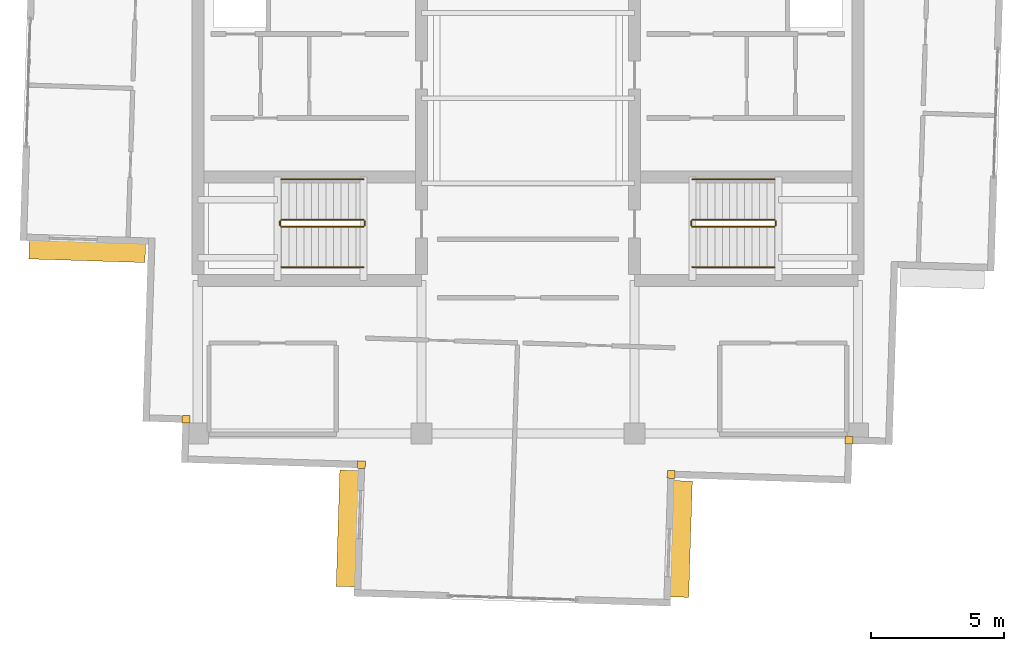
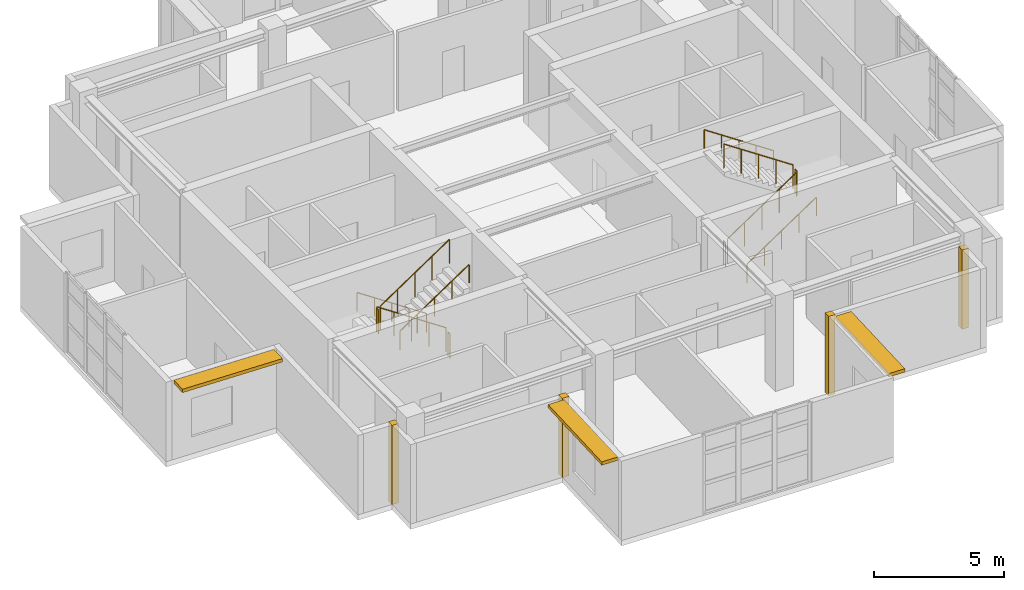
# One storey, part 13 of 14: 12 railings, 4 coverings, 3 shading devices.
"""IFC4 building model written with IfcOpenShell, lengths in metres."""

from ifc_helpers import new_model, si_unit, direction, frame, origin, origin_2d, place, context, subcontext, project, spatial, rectangle, circle, extrude, material, layer, layer_set, type_object, element, save


model = new_model("IFC4")

# Units and contexts
model_context = context("Model", 3, precision=1e-05, world=origin(), true_north=direction((0.0, 1.0)))
body_context = subcontext(model_context, "Body", "Model", "MODEL_VIEW")
ifc_project = project(units=[si_unit("LENGTHUNIT", "METRE"), si_unit("AREAUNIT", "SQUARE_METRE"), si_unit("VOLUMEUNIT", "CUBIC_METRE"), si_unit("PLANEANGLEUNIT", "RADIAN"), si_unit("MASSUNIT", "GRAM", prefix="KILO")], contexts=[model_context])

# Site, building, storey
site_placement = place(None, origin())
site = spatial("IfcSite", under=ifc_project, at=site_placement, CompositionType="ELEMENT")
building_placement = place(site_placement, origin())
building = spatial("IfcBuilding", under=site, at=building_placement, Name="Qingluan Cross Belvedere", CompositionType="ELEMENT")
storey_placement = place(building_placement, frame((0.0, 0.0, 317.39990234375)))
storey = spatial("IfcBuildingStorey", under=building, at=storey_placement, Name="L78", CompositionType="ELEMENT", Elevation=317.39990234375)

# Coverings
ifc_material_1 = material(Name="Precast concrete C45", Category="concrete")
ifc_layer_1 = layer(ifc_material_1, 0.1201171875, Name="ConcreteSpandrelCladding_120")
ifc_layer_set_1 = layer_set([ifc_layer_1], Name="Precast concrete C45")
covering_type = type_object("IfcCoveringType", Name="ConcreteSpandrelCladding_120", PredefinedType="CLADDING", material=ifc_layer_set_1)
for number, where, z_axis, x_axis, name in (
    (1, (-12.84521484375, -12.0625, 0.0), (0.0, 0.0, 1.0), (0.999506560366, -0.031410759078, 0.0), "Corner closure L78-SW1"),
    (2, (-6.255615234375, -13.770263671875, 0.0), (0.0, 0.0, 1.0), (0.999506560366, -0.031410759078, 0.0), "Corner closure L78-SW2"),
    (3, (12.0625, -12.84521484375, 0.0), (0.0, 0.0, 1.0), (0.999506560366, -0.031410759078, 0.0), "Corner closure L78-SE1"),
    (4, (5.378662109375, -14.135986328125, 0.0), (0.0, 0.0, 1.0), (0.999506560366, -0.031410759078, 0.0), "Corner closure L78-SE2"),
):
    element("IfcCovering", number, at=place(storey_placement, frame(where, z_axis=z_axis, x_axis=x_axis)), inside=storey, type_object=covering_type, Name=name, PredefinedType="CLADDING", context=body_context, shape_type="SweptSolid", body=[
        extrude(rectangle(XDim=0.2900390625, YDim=0.2900390625, at=origin_2d()), origin(), (0.0, 0.0, 1.0), 3.72998046875),
    ])

# Shading devices
ifc_material_2 = material(Name="Precast concrete C45", Category="concrete")
ifc_layer_2 = layer(ifc_material_2, 0.139892578125, Name="ConcreteSunshadeBand_700")
ifc_layer_set_2 = layer_set([ifc_layer_2], Name="Precast concrete C45")
shading_device_type = type_object("IfcShadingDeviceType", Name="ConcreteSunshadeBand_700", PredefinedType="USERDEFINED", material=ifc_layer_set_2)
for number, where, z_axis, x_axis, name in (
    (5, (-16.55908203125, -5.7578125, 3.55029296875), (0.0, 0.0, 1.0), (0.999506874652, -0.031400756733, 0.0), "Concrete SUNSHADE L78-WB"),
    (6, (-6.7861328125, -16.164794921875, 3.55029296875), (0.0, 0.0, 1.0), (-0.031421929952, -0.999506209244, 0.0), "Concrete SUNSHADE L78-SA"),
    (7, (5.7578125, -16.55908203125, 3.55029296875), (0.0, 0.0, 1.0), (0.031400756733, 0.999506874652, 0.0), "Concrete SUNSHADE L78-SB"),
):
    element("IfcShadingDevice", number, at=place(storey_placement, frame(where, z_axis=z_axis, x_axis=x_axis)), inside=storey, type_object=shading_device_type, Name=name, ObjectType="SUNSHADE", PredefinedType="USERDEFINED", context=body_context, shape_type="SweptSolid", body=[
        extrude(rectangle(XDim=4.3701171875, YDim=0.699951171875, at=origin_2d()), origin(), (0.0, 0.0, 1.0), 0.159912109375),
    ])

# Railings
ifc_material_3 = material(Name="Brushed stainless steel tubular handrail", Category="steel")
railing_type_1 = type_object("IfcRailingType", Name="StairPitchHandrail_900", PredefinedType="HANDRAIL", material=ifc_material_3)
railing_1_placement = place(storey_placement, frame((-6.179931640625, -3.050048828125, 0.1875)))
element("IfcRailing", 8, at=railing_1_placement, inside=storey, type_object=railing_type_1, Name="L78 ST1 stair handrail 1", PredefinedType="HANDRAIL", context=body_context, shape_type="SweptSolid", body=[
    extrude(circle(Radius=0.02392578125, at=origin_2d()), frame((0.0, 0.0, 0.8759765625), z_axis=(-0.830913701846, 0.0, 0.55640131208), x_axis=(0.0, -1.0, 0.0)), (0.0, 0.0, 1.0), 3.706787109375),
    extrude(circle(Radius=0.02099609375, at=origin_2d()), origin(), (0.0, 0.0, 1.0), 0.851806640625),
    extrude(circle(Radius=0.02099609375, at=origin_2d()), frame((-0.77001953125, 0.0, 0.515625)), (0.0, 0.0, 1.0), 0.851806640625),
    extrude(circle(Radius=0.02099609375, at=origin_2d()), frame((-1.5400390625, 0.0, 1.03125)), (0.0, 0.0, 1.0), 0.851806640625),
    extrude(circle(Radius=0.02099609375, at=origin_2d()), frame((-2.31005859375, 0.0, 1.546875)), (0.0, 0.0, 1.0), 0.851806640625),
    extrude(circle(Radius=0.02099609375, at=origin_2d()), frame((-3.080078125, 0.0, 2.0625)), (0.0, 0.0, 1.0), 0.851806640625),
])
for number, where, name in (
    (9, (-9.260009765625, -6.35009765625, 2.4375), "L78 ST1 stair handrail 2"),
    (10, (6.179931640625, -6.35009765625, 0.1875), "L78 ST2 stair handrail 1"),
):
    element("IfcRailing", number, at=place(storey_placement, frame(where)), inside=storey, type_object=railing_type_1, Name=name, PredefinedType="HANDRAIL", context=body_context, shape_type="SweptSolid", body=[
        extrude(circle(Radius=0.02392578125, at=origin_2d()), frame((0.0, 0.0, 0.8759765625), z_axis=(0.830913701846, 0.0, 0.55640131208), x_axis=(0.0, 1.0, 0.0)), (0.0, 0.0, 1.0), 3.706787109375),
        extrude(circle(Radius=0.02099609375, at=origin_2d()), origin(), (0.0, 0.0, 1.0), 0.851806640625),
        extrude(circle(Radius=0.02099609375, at=origin_2d()), frame((0.77001953125, 0.0, 0.515625)), (0.0, 0.0, 1.0), 0.851806640625),
        extrude(circle(Radius=0.02099609375, at=origin_2d()), frame((1.5400390625, 0.0, 1.03125)), (0.0, 0.0, 1.0), 0.851806640625),
        extrude(circle(Radius=0.02099609375, at=origin_2d()), frame((2.31005859375, 0.0, 1.546875)), (0.0, 0.0, 1.0), 0.851806640625),
        extrude(circle(Radius=0.02099609375, at=origin_2d()), frame((3.080078125, 0.0, 2.0625)), (0.0, 0.0, 1.0), 0.851806640625),
    ])
railing_2_placement = place(storey_placement, frame((9.260009765625, -3.050048828125, 2.4375)))
element("IfcRailing", 11, at=railing_2_placement, inside=storey, type_object=railing_type_1, Name="L78 ST2 stair handrail 2", PredefinedType="HANDRAIL", context=body_context, shape_type="SweptSolid", body=[
    extrude(circle(Radius=0.02392578125, at=origin_2d()), frame((0.0, 0.0, 0.8759765625), z_axis=(-0.830913701846, 0.0, 0.55640131208), x_axis=(0.0, -1.0, 0.0)), (0.0, 0.0, 1.0), 3.706787109375),
    extrude(circle(Radius=0.02099609375, at=origin_2d()), origin(), (0.0, 0.0, 1.0), 0.851806640625),
    extrude(circle(Radius=0.02099609375, at=origin_2d()), frame((-0.77001953125, 0.0, 0.515625)), (0.0, 0.0, 1.0), 0.851806640625),
    extrude(circle(Radius=0.02099609375, at=origin_2d()), frame((-1.5400390625, 0.0, 1.03125)), (0.0, 0.0, 1.0), 0.851806640625),
    extrude(circle(Radius=0.02099609375, at=origin_2d()), frame((-2.31005859375, 0.0, 1.546875)), (0.0, 0.0, 1.0), 0.851806640625),
    extrude(circle(Radius=0.02099609375, at=origin_2d()), frame((-3.080078125, 0.0, 2.0625)), (0.0, 0.0, 1.0), 0.851806640625),
])
ifc_material_4 = material(Name="Painted steel stair well guard", Category="steel")
railing_type_2 = type_object("IfcRailingType", Name="StairWellGuard_1150", PredefinedType="BALUSTRADE", material=ifc_material_4)
railing_3_placement = place(storey_placement, frame((-6.179931640625, -4.570068359375, 0.1875)))
element("IfcRailing", 12, at=railing_3_placement, inside=storey, type_object=railing_type_2, Name="L78 ST1 stair guard 1", PredefinedType="BALUSTRADE", context=body_context, shape_type="SweptSolid", body=[
    extrude(circle(Radius=0.02392578125, at=origin_2d()), frame((0.0, 0.0, 1.1259765625), z_axis=(-0.830913701846, 0.0, 0.55640131208), x_axis=(0.0, -1.0, 0.0)), (0.0, 0.0, 1.0), 3.706787109375),
    extrude(circle(Radius=0.02099609375, at=origin_2d()), origin(), (0.0, 0.0, 1.0), 1.101806640625),
    extrude(circle(Radius=0.02099609375, at=origin_2d()), frame((-0.77001953125, 0.0, 0.515625)), (0.0, 0.0, 1.0), 1.101806640625),
    extrude(circle(Radius=0.02099609375, at=origin_2d()), frame((-1.5400390625, 0.0, 1.03125)), (0.0, 0.0, 1.0), 1.101806640625),
    extrude(circle(Radius=0.02099609375, at=origin_2d()), frame((-2.31005859375, 0.0, 1.546875)), (0.0, 0.0, 1.0), 1.101806640625),
    extrude(circle(Radius=0.02099609375, at=origin_2d()), frame((-3.080078125, 0.0, 2.0625)), (0.0, 0.0, 1.0), 1.101806640625),
])
railing_4_placement = place(storey_placement, frame((-9.31005859375, -4.6201171875, 2.25)))
element("IfcRailing", 13, at=railing_4_placement, inside=storey, type_object=railing_type_2, Name="L78 ST1 stair guard 2", PredefinedType="BALUSTRADE", context=body_context, shape_type="SweptSolid", body=[
    extrude(circle(Radius=0.02392578125, at=origin_2d()), frame((0.0, 0.0, 1.1259765625), z_axis=(0.0, -1.0, 0.0), x_axis=(1.0, 0.0, 0.0)), (0.0, 0.0, 1.0), 0.159912109375),
    extrude(circle(Radius=0.02099609375, at=origin_2d()), origin(), (0.0, 0.0, 1.0), 1.101806640625),
    extrude(circle(Radius=0.02099609375, at=origin_2d()), frame((0.0, -0.159912109375, 0.0)), (0.0, 0.0, 1.0), 1.101806640625),
])
railing_5_placement = place(storey_placement, frame((-9.260009765625, -4.830078125, 2.4375)))
element("IfcRailing", 14, at=railing_5_placement, inside=storey, type_object=railing_type_2, Name="L78 ST1 stair guard 3", PredefinedType="BALUSTRADE", context=body_context, shape_type="SweptSolid", body=[
    extrude(circle(Radius=0.02392578125, at=origin_2d()), frame((0.0, 0.0, 1.1259765625), z_axis=(0.830913701846, 0.0, 0.55640131208), x_axis=(0.0, 1.0, 0.0)), (0.0, 0.0, 1.0), 3.706787109375),
    extrude(circle(Radius=0.02099609375, at=origin_2d()), origin(), (0.0, 0.0, 1.0), 1.101806640625),
    extrude(circle(Radius=0.02099609375, at=origin_2d()), frame((0.77001953125, 0.0, 0.515625)), (0.0, 0.0, 1.0), 1.101806640625),
    extrude(circle(Radius=0.02099609375, at=origin_2d()), frame((1.5400390625, 0.0, 1.03125)), (0.0, 0.0, 1.0), 1.101806640625),
    extrude(circle(Radius=0.02099609375, at=origin_2d()), frame((2.31005859375, 0.0, 1.546875)), (0.0, 0.0, 1.0), 1.101806640625),
    extrude(circle(Radius=0.02099609375, at=origin_2d()), frame((3.080078125, 0.0, 2.0625)), (0.0, 0.0, 1.0), 1.101806640625),
])
railing_6_placement = place(storey_placement, frame((-6.1298828125, -4.6201171875, 0.0)))
element("IfcRailing", 15, at=railing_6_placement, inside=storey, type_object=railing_type_2, Name="L78 ST1 stair guard 4", PredefinedType="BALUSTRADE", context=body_context, shape_type="SweptSolid", body=[
    extrude(circle(Radius=0.02392578125, at=origin_2d()), frame((0.0, 0.0, 1.1259765625), z_axis=(0.0, -1.0, 0.0), x_axis=(1.0, 0.0, 0.0)), (0.0, 0.0, 1.0), 0.159912109375),
    extrude(circle(Radius=0.02099609375, at=origin_2d()), origin(), (0.0, 0.0, 1.0), 1.101806640625),
    extrude(circle(Radius=0.02099609375, at=origin_2d()), frame((0.0, -0.159912109375, 0.0)), (0.0, 0.0, 1.0), 1.101806640625),
])
railing_7_placement = place(storey_placement, frame((6.179931640625, -4.830078125, 0.1875)))
element("IfcRailing", 16, at=railing_7_placement, inside=storey, type_object=railing_type_2, Name="L78 ST2 stair guard 1", PredefinedType="BALUSTRADE", context=body_context, shape_type="SweptSolid", body=[
    extrude(circle(Radius=0.02392578125, at=origin_2d()), frame((0.0, 0.0, 1.1259765625), z_axis=(0.830913701846, 0.0, 0.55640131208), x_axis=(0.0, 1.0, 0.0)), (0.0, 0.0, 1.0), 3.706787109375),
    extrude(circle(Radius=0.02099609375, at=origin_2d()), origin(), (0.0, 0.0, 1.0), 1.101806640625),
    extrude(circle(Radius=0.02099609375, at=origin_2d()), frame((0.77001953125, 0.0, 0.515625)), (0.0, 0.0, 1.0), 1.101806640625),
    extrude(circle(Radius=0.02099609375, at=origin_2d()), frame((1.5400390625, 0.0, 1.03125)), (0.0, 0.0, 1.0), 1.101806640625),
    extrude(circle(Radius=0.02099609375, at=origin_2d()), frame((2.31005859375, 0.0, 1.546875)), (0.0, 0.0, 1.0), 1.101806640625),
    extrude(circle(Radius=0.02099609375, at=origin_2d()), frame((3.080078125, 0.0, 2.0625)), (0.0, 0.0, 1.0), 1.101806640625),
])
railing_8_placement = place(storey_placement, frame((9.31005859375, -4.780029296875, 2.25)))
element("IfcRailing", 17, at=railing_8_placement, inside=storey, type_object=railing_type_2, Name="L78 ST2 stair guard 2", PredefinedType="BALUSTRADE", context=body_context, shape_type="SweptSolid", body=[
    extrude(circle(Radius=0.02392578125, at=origin_2d()), frame((0.0, 0.0, 1.1259765625), z_axis=(0.0, 1.0, 0.0), x_axis=(-1.0, 0.0, 0.0)), (0.0, 0.0, 1.0), 0.159912109375),
    extrude(circle(Radius=0.02099609375, at=origin_2d()), origin(), (0.0, 0.0, 1.0), 1.101806640625),
    extrude(circle(Radius=0.02099609375, at=origin_2d()), frame((0.0, 0.159912109375, 0.0)), (0.0, 0.0, 1.0), 1.101806640625),
])
railing_9_placement = place(storey_placement, frame((9.260009765625, -4.570068359375, 2.4375)))
element("IfcRailing", 18, at=railing_9_placement, inside=storey, type_object=railing_type_2, Name="L78 ST2 stair guard 3", PredefinedType="BALUSTRADE", context=body_context, shape_type="SweptSolid", body=[
    extrude(circle(Radius=0.02392578125, at=origin_2d()), frame((0.0, 0.0, 1.1259765625), z_axis=(-0.830913701846, 0.0, 0.55640131208), x_axis=(0.0, -1.0, 0.0)), (0.0, 0.0, 1.0), 3.706787109375),
    extrude(circle(Radius=0.02099609375, at=origin_2d()), origin(), (0.0, 0.0, 1.0), 1.101806640625),
    extrude(circle(Radius=0.02099609375, at=origin_2d()), frame((-0.77001953125, 0.0, 0.515625)), (0.0, 0.0, 1.0), 1.101806640625),
    extrude(circle(Radius=0.02099609375, at=origin_2d()), frame((-1.5400390625, 0.0, 1.03125)), (0.0, 0.0, 1.0), 1.101806640625),
    extrude(circle(Radius=0.02099609375, at=origin_2d()), frame((-2.31005859375, 0.0, 1.546875)), (0.0, 0.0, 1.0), 1.101806640625),
    extrude(circle(Radius=0.02099609375, at=origin_2d()), frame((-3.080078125, 0.0, 2.0625)), (0.0, 0.0, 1.0), 1.101806640625),
])
railing_10_placement = place(storey_placement, frame((6.1298828125, -4.780029296875, 0.0)))
element("IfcRailing", 19, at=railing_10_placement, inside=storey, type_object=railing_type_2, Name="L78 ST2 stair guard 4", PredefinedType="BALUSTRADE", context=body_context, shape_type="SweptSolid", body=[
    extrude(circle(Radius=0.02392578125, at=origin_2d()), frame((0.0, 0.0, 1.1259765625), z_axis=(0.0, 1.0, 0.0), x_axis=(-1.0, 0.0, 0.0)), (0.0, 0.0, 1.0), 0.159912109375),
    extrude(circle(Radius=0.02099609375, at=origin_2d()), origin(), (0.0, 0.0, 1.0), 1.101806640625),
    extrude(circle(Radius=0.02099609375, at=origin_2d()), frame((0.0, 0.159912109375, 0.0)), (0.0, 0.0, 1.0), 1.101806640625),
])

save(model, "model.ifc")
